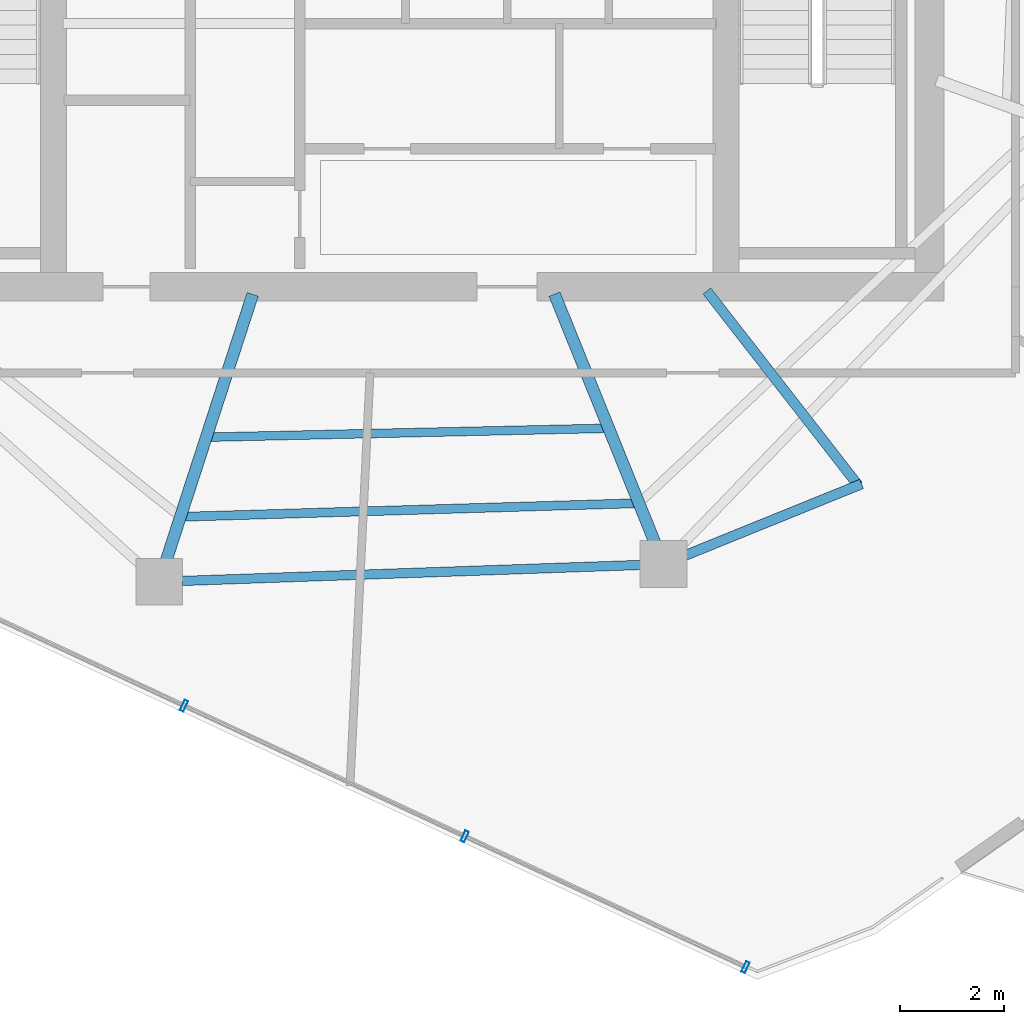
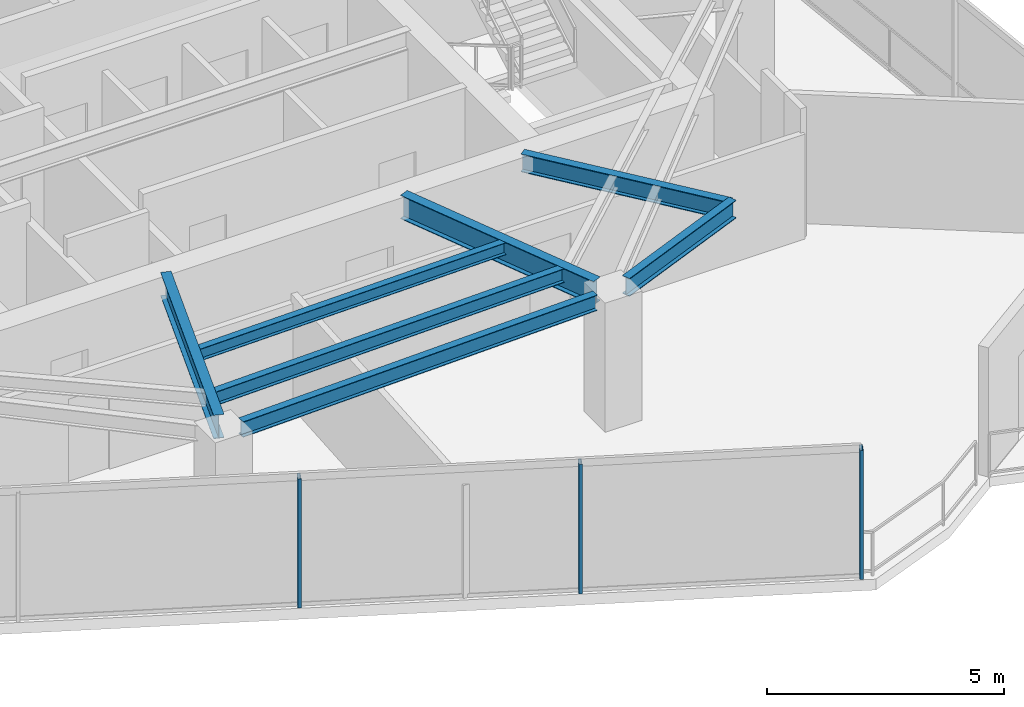
# One storey, part 5 of 20: 7 beams, 3 members, 1 element without a shape of its own.
"""IFC4 building model written with IfcOpenShell, lengths in metres."""

from ifc_helpers import new_model, si_unit, direction, frame, origin, origin_2d, place, context, subcontext, project, spatial, hollow_rectangle, i_section, extrude, material, layer, layer_set, material_profile, profile_set, type_object, element, aggregate, save


model = new_model("IFC4")

# Units and contexts
model_context = context("Model", 3, precision=1e-05, world=origin(), true_north=direction((0.0, 1.0)))
body_context = subcontext(model_context, "Body", "Model", "MODEL_VIEW")
ifc_project = project(units=[si_unit("LENGTHUNIT", "METRE"), si_unit("AREAUNIT", "SQUARE_METRE"), si_unit("VOLUMEUNIT", "CUBIC_METRE"), si_unit("PLANEANGLEUNIT", "RADIAN"), si_unit("MASSUNIT", "GRAM", prefix="KILO")], contexts=[model_context])

# Site, building, storey
site_placement = place(None, origin())
site = spatial("IfcSite", under=ifc_project, at=site_placement, CompositionType="ELEMENT")
building_placement = place(site_placement, origin())
building = spatial("IfcBuilding", under=site, at=building_placement, Name="Qarnah Convention Tower", CompositionType="ELEMENT")
storey_placement = place(building_placement, frame((0.0, 0.0, 198.60009765625)))
storey = spatial("IfcBuildingStorey", under=building, at=storey_placement, Name="L53", CompositionType="ELEMENT", Elevation=198.60009765625)

# Beams
ifc_material_1 = material(Name="Structural steel S355JR", Category="steel")
ifc_material_profile_1 = material_profile(ifc_material_1, i_section(OverallWidth=0.19189453125, OverallDepth=0.464111328125, WebThickness=0.010986328125, FlangeThickness=0.01806640625, at=origin_2d()), Name="W460X89")
ifc_profile_set_1 = profile_set([ifc_material_profile_1], Name="Structural steel S355JR")
beam_type_1 = type_object("IfcBeamType", Name="BM-CANT-W460A", PredefinedType="BEAM", material=ifc_profile_set_1)
beam_1_placement = place(storey_placement, frame((43.3310546875, 18.52099609375, 3.087890625), z_axis=(0.614241094698, -0.789118417973, 0.0), x_axis=(0.789118417973, 0.614241094698, 0.0)))
element("IfcBeam", 1, at=beam_1_placement, inside=storey, type_object=beam_type_1, Name="L53 beam BM-L53-CNT-03-1", PredefinedType="BEAM", context=body_context, shape_type="SweptSolid", body=[
    extrude(i_section(OverallWidth=0.19189453125, OverallDepth=0.464111328125, WebThickness=0.010986328125, FlangeThickness=0.01806640625, at=origin_2d()), origin(), (0.0, 0.0, 1.0), 4.724365234375),
])
beam_2_placement = place(storey_placement, frame((46.298095703125, 14.819091796875, 3.087890625), z_axis=(-0.926735498901, -0.375714406268, 0.0), x_axis=(0.375714406268, -0.926735498901, 0.0)))
element("IfcBeam", 2, at=beam_2_placement, inside=storey, type_object=beam_type_1, Name="L53 spandrel BM-L53-CTIE-03", PredefinedType="SPANDREL", context=body_context, shape_type="SweptSolid", body=[
    extrude(i_section(OverallWidth=0.19189453125, OverallDepth=0.464111328125, WebThickness=0.010986328125, FlangeThickness=0.01806640625, at=origin_2d()), origin(), (0.0, 0.0, 1.0), 3.656982421875),
])
ifc_material_profile_2 = material_profile(ifc_material_1, i_section(OverallWidth=0.166015625, OverallDepth=0.31201171875, WebThickness=0.007080078125, FlangeThickness=0.010986328125, at=origin_2d()), Name="W310X45")
ifc_profile_set_2 = profile_set([ifc_material_profile_2], Name="Structural steel S355JR")
beam_type_2 = type_object("IfcBeamType", Name="BM-JST-W310", PredefinedType="JOIST", material=ifc_profile_set_2)
beam_3_placement = place(storey_placement, frame((33.818115234375, 15.717041015625, 3.163818359375), z_axis=(0.999751945962, 0.022272102413, 0.0), x_axis=(-0.022272102413, 0.999751945962, 0.0)))
element("IfcBeam", 3, at=beam_3_placement, inside=storey, type_object=beam_type_2, Name="L53 joist BM-L53-IJST-07", PredefinedType="JOIST", context=body_context, shape_type="SweptSolid", body=[
    extrude(i_section(OverallWidth=0.166015625, OverallDepth=0.31201171875, WebThickness=0.007080078125, FlangeThickness=0.010986328125, at=origin_2d()), origin(), (0.0, 0.0, 1.0), 7.541748046875),
])
ifc_material_profile_3 = material_profile(ifc_material_1, i_section(OverallWidth=0.172119140625, OverallDepth=0.35595703125, WebThickness=0.007080078125, FlangeThickness=0.011962890625, at=origin_2d()), Name="W360X51")
ifc_profile_set_3 = profile_set([ifc_material_profile_3], Name="Structural steel S355JR")
beam_type_3 = type_object("IfcBeamType", Name="BM-JST-W360", PredefinedType="JOIST", material=ifc_profile_set_3)
beam_4_placement = place(storey_placement, frame((33.321044921875, 14.19091796875, 3.141845703125), z_axis=(0.999558625738, 0.029707805593, 0.0), x_axis=(-0.029707805593, 0.999558625738, 0.0)))
element("IfcBeam", 4, at=beam_4_placement, inside=storey, type_object=beam_type_3, Name="L53 joist BM-L53-SJST-07", PredefinedType="JOIST", context=body_context, shape_type="SweptSolid", body=[
    extrude(i_section(OverallWidth=0.172119140625, OverallDepth=0.35595703125, WebThickness=0.007080078125, FlangeThickness=0.011962890625, at=origin_2d()), origin(), (0.0, 0.0, 1.0), 8.620849609375),
])
ifc_material_profile_4 = material_profile(ifc_material_1, i_section(OverallWidth=0.22802734375, OverallDepth=0.60791015625, WebThickness=0.010986328125, FlangeThickness=0.01708984375, at=origin_2d()), Name="W610X113")
ifc_profile_set_4 = profile_set([ifc_material_profile_4], Name="Structural steel S355JR")
beam_type_4 = type_object("IfcBeamType", Name="BM-RAD-W610B", PredefinedType="BEAM", material=ifc_profile_set_4)
beam_5_placement = place(storey_placement, frame((34.618896484375, 18.45703125, 3.015869140625), z_axis=(-0.309055218988, -0.951044095516, 0.0), x_axis=(0.951044095516, -0.309055218988, 0.0)))
element("IfcBeam", 5, at=beam_5_placement, inside=storey, type_object=beam_type_4, Name="L53 beam BM-L53-RAD-07", PredefinedType="BEAM", context=body_context, shape_type="SweptSolid", body=[
    extrude(i_section(OverallWidth=0.22802734375, OverallDepth=0.60791015625, WebThickness=0.010986328125, FlangeThickness=0.01708984375, at=origin_2d()), origin(), (0.0, 0.0, 1.0), 5.36767578125),
])
beam_6_placement = place(storey_placement, frame((40.407958984375, 18.4609375, 3.015869140625), z_axis=(0.374620360642, -0.927178292127, 0.0), x_axis=(0.927178292127, 0.374620360642, 0.0)))
element("IfcBeam", 6, at=beam_6_placement, inside=storey, type_object=beam_type_4, Name="L53 beam BM-L53-RAD-08", PredefinedType="BEAM", context=body_context, shape_type="SweptSolid", body=[
    extrude(i_section(OverallWidth=0.22802734375, OverallDepth=0.60791015625, WebThickness=0.010986328125, FlangeThickness=0.01708984375, at=origin_2d()), origin(), (0.0, 0.0, 1.0), 5.157470703125),
])
ifc_material_profile_5 = material_profile(ifc_material_1, i_section(OverallWidth=0.179931640625, OverallDepth=0.39990234375, WebThickness=0.009033203125, FlangeThickness=0.013916015625, at=origin_2d()), Name="IPE400")
ifc_profile_set_5 = profile_set([ifc_material_profile_5], Name="Structural steel S355JR")
beam_type_5 = type_object("IfcBeamType", Name="BM-SPN-IPE400", PredefinedType="SPANDREL", material=ifc_profile_set_5)
beam_7_placement = place(storey_placement, frame((33.26708984375, 12.9580078125, 3.119873046875), z_axis=(0.999391645542, 0.034876049374, 0.0), x_axis=(-0.034876049374, 0.999391645542, 0.0)))
element("IfcBeam", 7, at=beam_7_placement, inside=storey, type_object=beam_type_5, Name="L53 spandrel BM-L53-SPN-07", PredefinedType="SPANDREL", context=body_context, shape_type="SweptSolid", body=[
    extrude(i_section(OverallWidth=0.179931640625, OverallDepth=0.39990234375, WebThickness=0.009033203125, FlangeThickness=0.013916015625, at=origin_2d()), origin(), (0.0, 0.0, 1.0), 8.79931640625),
])

# Curtain wall, members
ifc_material_2 = material(Name="Tempered Low-E dark glass", Category="glass")
ifc_layer = layer(ifc_material_2, 0.174072265625)
ifc_layer_set = layer_set([ifc_layer], Name="Tempered Low-E dark glass")
curtain_wall_type = type_object("IfcCurtainWallType", Name="CWS-04", PredefinedType="NOTDEFINED", material=ifc_layer_set)
curtain_wall_placement = place(storey_placement, origin())
curtain_wall = element("IfcCurtainWall", 8, at=curtain_wall_placement, inside=storey, type_object=curtain_wall_type, Name="L53 unitised curtain wall CW-L53-F2", PredefinedType="NOTDEFINED")
ifc_material_3 = material(Name="Black anodised aluminium", Category="aluminium")
ifc_material_profile_6 = material_profile(ifc_material_3, hollow_rectangle(XDim=0.074951171875, YDim=0.219970703125, WallThickness=0.0048828125, at=origin_2d()), Name="MUL-75X220")
ifc_profile_set_6 = profile_set([ifc_material_profile_6], Name="Black anodised aluminium")
member_type = type_object("IfcMemberType", Name="MUL-T4", PredefinedType="MULLION", material=ifc_profile_set_6)
member_1_placement = place(storey_placement, frame((44.072998046875, 5.550048828125, 0.0), z_axis=(0.0, 0.0, 1.0), x_axis=(-0.906605820486, 0.421978537678, 0.0)))
member_1 = element("IfcMember", 9, at=member_1_placement, type_object=member_type, Name="CW-L53-F2 mullion 1", PredefinedType="MULLION", context=body_context, shape_type="SweptSolid", body=[
    extrude(hollow_rectangle(XDim=0.074951171875, YDim=0.219970703125, WallThickness=0.0048828125, at=origin_2d()), origin(), (0.0, 0.0, 1.0), 3.31982421875),
])
member_2_placement = place(storey_placement, frame((38.686767578125, 8.056884765625, 0.0), z_axis=(0.0, 0.0, 1.0), x_axis=(-0.906605820486, 0.421978537678, 0.0)))
member_2 = element("IfcMember", 10, at=member_2_placement, type_object=member_type, Name="CW-L53-F2 mullion 2", PredefinedType="MULLION", context=body_context, shape_type="SweptSolid", body=[
    extrude(hollow_rectangle(XDim=0.074951171875, YDim=0.219970703125, WallThickness=0.0048828125, at=origin_2d()), origin(), (0.0, 0.0, 1.0), 3.31982421875),
])
member_3_placement = place(storey_placement, frame((33.300537109375, 10.56396484375, 0.0), z_axis=(0.0, 0.0, 1.0), x_axis=(-0.906605820486, 0.421978537678, 0.0)))
member_3 = element("IfcMember", 11, at=member_3_placement, type_object=member_type, Name="CW-L53-F2 mullion 3", PredefinedType="MULLION", context=body_context, shape_type="SweptSolid", body=[
    extrude(hollow_rectangle(XDim=0.074951171875, YDim=0.219970703125, WallThickness=0.0048828125, at=origin_2d()), origin(), (0.0, 0.0, 1.0), 3.31982421875),
])
aggregate(curtain_wall, [member_1, member_2, member_3])

save(model, "model.ifc")
